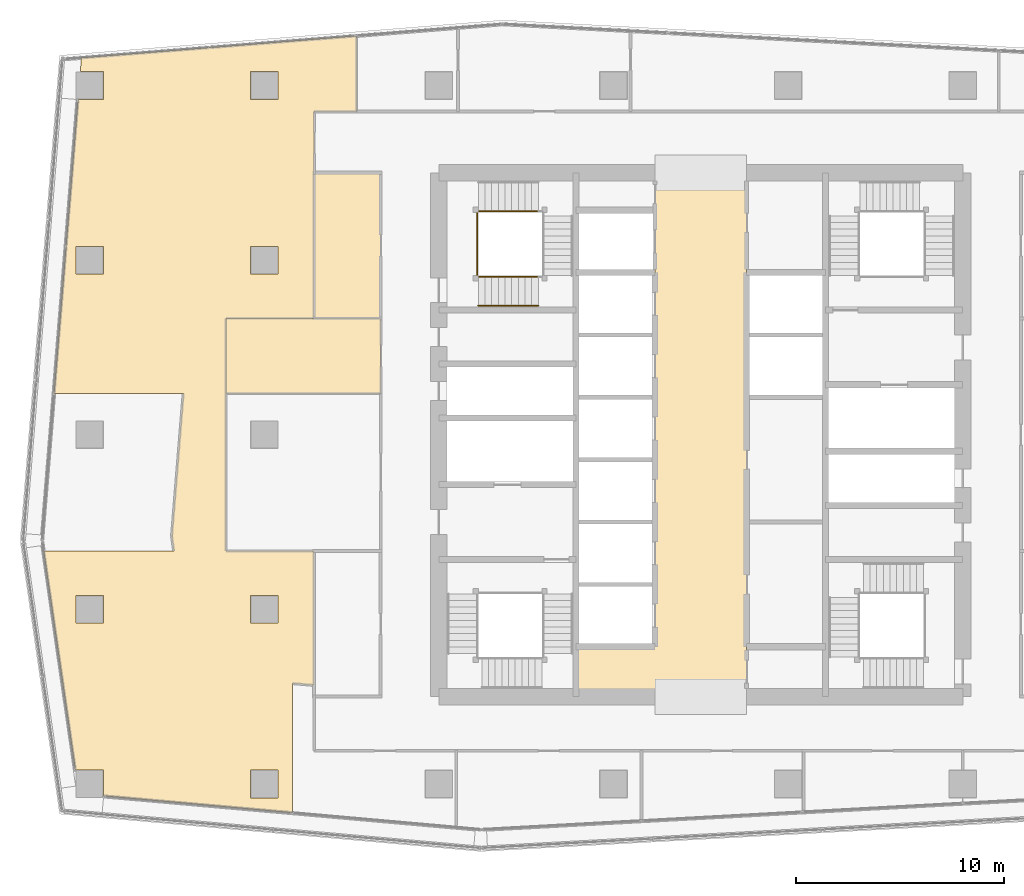
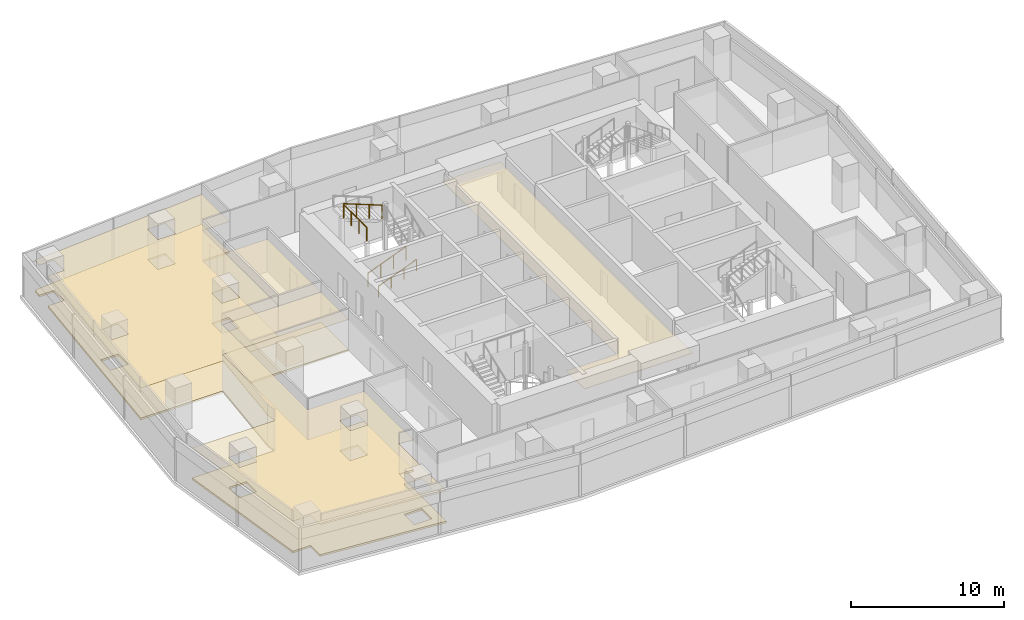
# One storey, part 27 of 30: 6 coverings, 4 railings.
"""IFC4 building model written with IfcOpenShell, lengths in metres."""

import ifcopenshell
import ifcopenshell.guid

model = None  # the IFC model being written
_history = None  # IfcOwnerHistory: only IFC2X3 demands one
_inside = {}  # id of a spatial element -> (the spatial element, [elements in it])
_under = {}  # id of a project, library or spatial element -> (it, [spatial elements below it])
_declared = {}  # id of a project -> (the project, [libraries it declares])
_typed = {}  # id of a type object -> (the type object, [elements of that type])
_made_of = {}  # id of a material, layer set ... -> (it, [elements and type objects made of it])


def new_model(schema):
    """Start an empty IFC model of exactly this schema.

    Asked for "IFC4X3", IfcOpenShell would pick the latest addendum, in which some entities
    have other attributes; the version numbers below select the first issue.
    IFC2X3 requires an IfcOwnerHistory on every rooted entity: one is made here for all.
    """
    global model, _history
    if schema == "IFC4X3":
        model = ifcopenshell.file(schema_version=(4, 3, 0, 0))
    else:
        model = ifcopenshell.file(schema=schema)
    _inside.clear()
    _under.clear()
    _declared.clear()
    _typed.clear()
    _made_of.clear()
    _history = None
    if model.schema == "IFC2X3":
        org = make("IfcOrganization", Name="unknown")
        user = make(
            "IfcPersonAndOrganization",
            ThePerson=make("IfcPerson", FamilyName="unknown"),
            TheOrganization=org,
        )
        app = make(
            "IfcApplication",
            ApplicationDeveloper=org,
            Version="unknown",
            ApplicationFullName="unknown",
            ApplicationIdentifier="unknown",
        )
        _history = make(
            "IfcOwnerHistory",
            OwningUser=user,
            OwningApplication=app,
            ChangeAction="ADDED",
            CreationDate=0,
        )
    return model


def make(cls, **values):
    """One entity of the class cls with the attributes given. An attribute that is None is left unset."""
    return model.create_entity(
        cls, **{name: value for name, value in values.items() if value is not None}
    )


def rooted(cls, **values):
    """An entity with a GlobalId (a new one), such as an element, a storey or a relation."""
    return make(cls, GlobalId=ifcopenshell.guid.new(), OwnerHistory=_history, **values)


def si_unit(unit_type, name, prefix=None):
    """IfcSIUnit, for example si_unit("LENGTHUNIT", "METRE", prefix="MILLI")."""
    return make("IfcSIUnit", UnitType=unit_type, Prefix=prefix, Name=name)


def assignment(units):
    """IfcUnitAssignment: the units of a project."""
    return None if units is None else make("IfcUnitAssignment", Units=units)


def point(xyz):
    """IfcCartesianPoint."""
    return None if xyz is None else make("IfcCartesianPoint", Coordinates=xyz)


def direction(xyz):
    """IfcDirection."""
    return None if xyz is None else make("IfcDirection", DirectionRatios=xyz)


def frame(location, z_axis=None, x_axis=None):
    """IfcAxis2Placement3D, a coordinate frame: its origin and axes. An axis left out is left unset."""
    return make(
        "IfcAxis2Placement3D",
        Location=point(location),
        Axis=direction(z_axis),
        RefDirection=direction(x_axis),
    )


def frame_2d(location, x_axis=None):
    """IfcAxis2Placement2D, a coordinate frame in the plane: its origin and x axis."""
    return make(
        "IfcAxis2Placement2D", Location=point(location), RefDirection=direction(x_axis)
    )


def origin():
    """The frame at (0, 0, 0) with its axes left unset."""
    return frame((0.0, 0.0, 0.0))


def origin_2d():
    """The frame at (0, 0) in the plane with its x axis left unset."""
    return frame_2d((0.0, 0.0))


def place(relative_to, where):
    """IfcLocalPlacement: puts the frame where relative to a parent placement (None: the world)."""
    return make(
        "IfcLocalPlacement", PlacementRelTo=relative_to, RelativePlacement=where
    )


def context(
    kind, dimensions, precision=None, world=None, true_north=None, identifier=None
):
    """IfcGeometricRepresentationContext, for example the 3D "Model" context."""
    return make(
        "IfcGeometricRepresentationContext",
        ContextIdentifier=identifier,
        ContextType=kind,
        CoordinateSpaceDimension=dimensions,
        Precision=precision,
        WorldCoordinateSystem=world,
        TrueNorth=true_north,
    )


def subcontext(parent, identifier, kind, view, scale=None):
    """IfcGeometricRepresentationSubContext, for example "Body" below "Model"."""
    return make(
        "IfcGeometricRepresentationSubContext",
        ContextIdentifier=identifier,
        ContextType=kind,
        ParentContext=parent,
        TargetScale=scale,
        TargetView=view,
    )


def project(units=None, contexts=None):
    """IfcProject with its units and contexts."""
    return rooted(
        "IfcProject",
        Name="project",
        RepresentationContexts=contexts,
        UnitsInContext=assignment(units),
    )


def spatial(cls, under=None, at=None, **own):
    """A site, building, storey or space (cls), placed at a placement, below another one or the project."""
    s = rooted(cls, ObjectPlacement=at, **own)
    if under is not None:
        _under.setdefault(under.id(), (under, []))[1].append(s)
    return s


def polyline(points):
    """IfcPolyline through the points."""
    return make("IfcPolyline", Points=[point(p) for p in points])


def profile(cls, at=None, kind="AREA", **sizes):
    """A parametric profile (cls). Its sizes go by their IFC names, for example OverallWidth=200.0."""
    return make(cls, ProfileType=kind, Position=at, **sizes)


def circle(**sizes):
    """IfcCircleProfileDef."""
    return profile("IfcCircleProfileDef", **sizes)


def outline(outer, holes=None, kind="AREA"):
    """IfcArbitraryClosedProfileDef: a profile drawn as a closed curve; with holes, ...WithVoids."""
    if holes is None:
        return make("IfcArbitraryClosedProfileDef", ProfileType=kind, OuterCurve=outer)
    return make(
        "IfcArbitraryProfileDefWithVoids",
        ProfileType=kind,
        OuterCurve=outer,
        InnerCurves=holes,
    )


def extrude(swept, where, along, depth):
    """IfcExtrudedAreaSolid: the profile swept, set in the frame where, extruded along a direction by depth."""
    return make(
        "IfcExtrudedAreaSolid",
        SweptArea=swept,
        Position=where,
        ExtrudedDirection=direction(along),
        Depth=depth,
    )


def shape(context_of_items, identifier, shape_type, items):
    """IfcShapeRepresentation: the items that make up one representation, for example the "Body"."""
    return make(
        "IfcShapeRepresentation",
        ContextOfItems=context_of_items,
        RepresentationIdentifier=identifier,
        RepresentationType=shape_type,
        Items=items,
    )


def material(Name=None, Category=None):
    """IfcMaterial."""
    return make("IfcMaterial", Name=Name, Category=Category)


def layer(
    of_material, thickness, ventilated=None, Name=None, Category=None, Priority=None
):
    """IfcMaterialLayer: one layer of a wall or slab, of a material (None: an air gap)."""
    return make(
        "IfcMaterialLayer",
        Material=of_material,
        LayerThickness=thickness,
        IsVentilated=ventilated,
        Name=Name,
        Category=Category,
        Priority=Priority,
    )


def layer_set(layers, Name=None):
    """IfcMaterialLayerSet."""
    return make("IfcMaterialLayerSet", MaterialLayers=layers, LayerSetName=Name)


def made_of(thing, what):
    """Note that an element or type object is made of a material, layer set ...; save() writes the relation."""
    if what is not None:
        _made_of.setdefault(what.id(), (what, []))[1].append(thing)
    return thing


def type_object(cls, material=None, **own):
    """A type object (cls), such as IfcWallType, which elements share."""
    return made_of(rooted(cls, **own), material)


def element(
    cls,
    number,
    at=None,
    inside=None,
    cuts=None,
    type_object=None,
    material=None,
    context=None,
    identifier="Body",
    shape_type=None,
    held_by="IfcProductDefinitionShape",
    body=None,
    shapes=None,
    **own,
):
    """One element of the class cls, such as IfcWall. Its Tag is "e" and its number.

    at: its placement. inside: the storey or other place that contains it. cuts: it is an
    opening in that element (IfcRelVoidsElement). A single representation is given by context,
    identifier, shape_type and body (its items); several are given by shapes. held_by: the class
    of the entity that holds the representations. save() writes the other relations.
    """
    e = rooted(cls, Tag="e%d" % number, ObjectPlacement=at, **own)
    if body is not None:
        shapes = [shape(context, identifier, shape_type, body)]
    if shapes is not None:
        e.Representation = make(held_by, Representations=shapes)
    if inside is not None:
        _inside.setdefault(inside.id(), (inside, []))[1].append(e)
    if cuts is not None:
        rooted(
            "IfcRelVoidsElement", RelatingBuildingElement=cuts, RelatedOpeningElement=e
        )
    if type_object is not None:
        _typed.setdefault(type_object.id(), (type_object, []))[1].append(e)
    return made_of(e, material)


def aggregate(whole, parts):
    """IfcRelAggregates: a whole, such as a stair, and the parts it consists of."""
    return rooted("IfcRelAggregates", RelatingObject=whole, RelatedObjects=parts)


def save(model, path):
    """Write the relations noted so far, then the file.

    IfcRelAggregates (storeys below a building ...), IfcRelContainedInSpatialStructure (elements
    in a storey), IfcRelDefinesByType, IfcRelAssociatesMaterial and IfcRelDeclares: one each for
    every whole, place, type object, material and project.
    """
    for whole, parts in _under.values():
        aggregate(whole, parts)
    for where, things in _inside.values():
        rooted(
            "IfcRelContainedInSpatialStructure",
            RelatedElements=things,
            RelatingStructure=where,
        )
    for kind, things in _typed.values():
        rooted("IfcRelDefinesByType", RelatedObjects=things, RelatingType=kind)
    for what, things in _made_of.values():
        rooted("IfcRelAssociatesMaterial", RelatedObjects=things, RelatingMaterial=what)
    for by, libraries in _declared.values():
        rooted("IfcRelDeclares", RelatingContext=by, RelatedDefinitions=libraries)
    model.write(path)


model = new_model("IFC4")

# Units and contexts
model_context = context("Model", 3, precision=1e-05, world=origin(), true_north=direction((0.0, 1.0)))
body_context = subcontext(model_context, "Body", "Model", "MODEL_VIEW")
ifc_project = project(units=[si_unit("LENGTHUNIT", "METRE"), si_unit("AREAUNIT", "SQUARE_METRE"), si_unit("VOLUMEUNIT", "CUBIC_METRE"), si_unit("PLANEANGLEUNIT", "RADIAN"), si_unit("MASSUNIT", "GRAM", prefix="KILO")], contexts=[model_context])

# Site, building, storey
site_placement = place(None, origin())
site = spatial("IfcSite", under=ifc_project, at=site_placement, CompositionType="ELEMENT")
building_placement = place(site_placement, origin())
building = spatial("IfcBuilding", under=site, at=building_placement, Name="Rekha Terrace Tower", CompositionType="ELEMENT")
storey_placement = place(building_placement, frame((0.0, 0.0, 287.60009765625)))
storey = spatial("IfcBuildingStorey", under=building, at=storey_placement, Name="L73", CompositionType="ELEMENT", Elevation=287.60009765625)

# Coverings
ifc_material_1 = material(Name="Mineral fibre tile in exposed grid", Category="finish")
ifc_layer_1 = layer(ifc_material_1, 0.02001953125)
ifc_layer_set_1 = layer_set([ifc_layer_1], Name="Mineral fibre tile in exposed grid")
covering_type_1 = type_object("IfcCoveringType", Name="CL1 600x1200 office grid ceiling", PredefinedType="CEILING", material=ifc_layer_set_1)
covering_1_placement = place(storey_placement, frame((0.0, 0.0, 2.52978515625)))
element("IfcCovering", 1, at=covering_1_placement, inside=storey, type_object=covering_type_1, Name="Ceiling L73-09", PredefinedType="CEILING", context=body_context, shape_type="SweptSolid", body=[
    extrude(outline(polyline([(12.455078125, 28.010986328125), (6.18994140625, 28.010986328125), (7.715087890625, 17.465087890625), (9.06494140625, 17.465087890625), (9.06494140625, 16.22705078125), (18.14990234375, 15.4189453125), (18.14990234375, 21.64404296875), (19.199951171875, 21.550048828125), (19.199951171875, 28.0), (14.949951171875, 28.0), (14.949951171875, 39.199951171875), (19.199951171875, 39.199951171875), (19.199951171875, 49.14990234375), (21.22607421875, 49.14990234375), (21.22607421875, 52.7880859375), (8.00390625, 51.73291015625), (7.949951171875, 51.06494140625), (9.06494140625, 51.06494140625), (9.06494140625, 49.735107421875), (7.842041015625, 49.735107421875), (7.26611328125, 42.656982421875), (7.26611328125, 42.656005859375), (6.69091796875, 35.589111328125), (12.910888671875, 35.589111328125), (12.35205078125, 28.718017578125), (12.455078125, 28.010986328125)]), holes=[polyline([(17.465087890625, 17.465087890625), (17.465087890625, 16.135009765625), (16.135009765625, 16.135009765625), (16.135009765625, 17.465087890625), (17.465087890625, 17.465087890625)]), polyline([(17.465087890625, 25.864990234375), (17.465087890625, 24.534912109375), (16.135009765625, 24.534912109375), (16.135009765625, 25.864990234375), (17.465087890625, 25.864990234375)]), polyline([(17.465087890625, 41.3349609375), (16.135009765625, 41.3349609375), (16.135009765625, 42.6650390625), (17.465087890625, 42.6650390625), (17.465087890625, 41.3349609375)]), polyline([(17.465087890625, 49.735107421875), (16.135009765625, 49.735107421875), (16.135009765625, 51.06494140625), (17.465087890625, 51.06494140625), (17.465087890625, 49.735107421875)]), polyline([(9.06494140625, 25.864990234375), (9.06494140625, 24.534912109375), (7.735107421875, 24.534912109375), (7.735107421875, 25.864990234375), (9.06494140625, 25.864990234375)]), polyline([(9.06494140625, 42.6650390625), (9.06494140625, 41.3349609375), (7.735107421875, 41.3349609375), (7.735107421875, 42.6650390625), (9.06494140625, 42.6650390625)])]), origin(), (0.0, 0.0, 1.0), 0.02001953125),
])
covering_2_placement = place(storey_placement, frame((0.0, 0.0, 2.52978515625)))
element("IfcCovering", 2, at=covering_2_placement, inside=storey, type_object=covering_type_1, Name="Ceiling L73-16", PredefinedType="CEILING", context=body_context, shape_type="SweptSolid", body=[
    extrude(outline(polyline([(14.949951171875, 39.199951171875), (14.949951171875, 35.589111328125), (22.39990234375, 35.589111328125), (22.39990234375, 39.199951171875), (14.949951171875, 39.199951171875)])), origin(), (0.0, 0.0, 1.0), 0.02001953125),
])
ifc_material_2 = material(Name="Fibre cement board", Category="finish")
ifc_layer_2 = layer(ifc_material_2, 0.014892578125)
ifc_layer_set_2 = layer_set([ifc_layer_2], Name="Fibre cement board")
covering_type_2 = type_object("IfcCoveringType", Name="CL2 moisture-resistant board ceiling", PredefinedType="CEILING", material=ifc_layer_set_2)
covering_3_placement = place(storey_placement, frame((0.0, 0.0, 2.534912109375)))
element("IfcCovering", 3, at=covering_3_placement, inside=storey, type_object=covering_type_2, Name="Ceiling L73-WCF2", PredefinedType="CEILING", context=body_context, shape_type="SweptSolid", body=[
    extrude(outline(polyline([(22.39990234375, 46.199951171875), (19.199951171875, 46.199951171875), (19.199951171875, 39.199951171875), (22.39990234375, 39.199951171875), (22.39990234375, 46.199951171875)])), origin(), (0.0, 0.0, 1.0), 0.014892578125),
])
ifc_material_3 = material(Name="Powder-coated aluminium pan", Category="aluminium")
ifc_layer_3 = layer(ifc_material_3, 0.030029296875)
ifc_layer_set_3 = layer_set([ifc_layer_3], Name="Powder-coated aluminium pan")
covering_type_3 = type_object("IfcCoveringType", Name="CL3 300x1200 metal pan ceiling", PredefinedType="CEILING", material=ifc_layer_set_3)
covering_4_placement = place(storey_placement, frame((0.0, 0.0, 2.52001953125)))
element("IfcCovering", 4, at=covering_4_placement, inside=storey, type_object=covering_type_3, Name="Ceiling L73-LOBBY", PredefinedType="CEILING", context=body_context, shape_type="SweptSolid", body=[
    extrude(outline(polyline([(35.60009765625, 46.199951171875), (35.60009765625, 23.39990234375), (31.800048828125, 23.39990234375), (31.800048828125, 21.0), (40.0, 21.0), (40.0, 46.199951171875), (35.60009765625, 46.199951171875)])), origin(), (0.0, 0.0, 1.0), 0.02978515625),
])

# Railings
ifc_material_4 = material(Name="Stainless steel balustrade", Category="steel")
railing_type_1 = type_object("IfcRailingType", Name="GR1 1100 stair guard", PredefinedType="GUARDRAIL", material=ifc_material_4)
railing_1_placement = place(storey_placement, frame((27.10009765625, 41.18994140625, 0.125)))
element("IfcRailing", 5, at=railing_1_placement, inside=storey, type_object=railing_type_1, Name="Guard ST4 L73 flight 1", PredefinedType="GUARDRAIL", context=body_context, shape_type="SweptSolid", body=[
    extrude(circle(Radius=0.02392578125, at=origin_2d()), frame((0.0, 0.0, 1.076171875), z_axis=(0.931452331594, 0.0, 0.363863372667), x_axis=(0.0, 1.0, 0.0)), (0.0, 0.0, 1.0), 3.091796875),
    extrude(circle(Radius=0.02099609375, at=origin_2d()), origin(), (0.0, 0.0, 1.0), 1.052001953125),
    extrude(circle(Radius=0.02099609375, at=origin_2d()), frame((0.9599609375, 0.0, 0.375)), (0.0, 0.0, 1.0), 1.052001953125),
    extrude(circle(Radius=0.02099609375, at=origin_2d()), frame((1.919921875, 0.0, 0.75)), (0.0, 0.0, 1.0), 1.052001953125),
    extrude(circle(Radius=0.02099609375, at=origin_2d()), frame((2.8798828125, 0.0, 1.125)), (0.0, 0.0, 1.0), 1.052001953125),
])
railing_2_placement = place(storey_placement, frame((29.97998046875, 44.360107421875, 2.625)))
element("IfcRailing", 6, at=railing_2_placement, inside=storey, type_object=railing_type_1, Name="Guard ST4 L73 flight 3", PredefinedType="GUARDRAIL", context=body_context, shape_type="SweptSolid", body=[
    extrude(circle(Radius=0.02392578125, at=origin_2d()), frame((0.0, 0.0, 1.076171875), z_axis=(-0.931452331594, 0.0, 0.363863372667), x_axis=(0.0, -1.0, 0.0)), (0.0, 0.0, 1.0), 3.091796875),
    extrude(circle(Radius=0.02099609375, at=origin_2d()), origin(), (0.0, 0.0, 1.0), 1.052001953125),
    extrude(circle(Radius=0.02099609375, at=origin_2d()), frame((-0.9599609375, 0.0, 0.375)), (0.0, 0.0, 1.0), 1.052001953125),
    extrude(circle(Radius=0.02099609375, at=origin_2d()), frame((-1.919921875, 0.0, 0.75)), (0.0, 0.0, 1.0), 1.052001953125),
    extrude(circle(Radius=0.02099609375, at=origin_2d()), frame((-2.8798828125, 0.0, 1.125)), (0.0, 0.0, 1.0), 1.052001953125),
])
railing_3_placement = place(storey_placement, frame((27.0400390625, 41.25, 3.75)))
element("IfcRailing", 7, at=railing_3_placement, inside=storey, type_object=railing_type_1, Name="Guard ST4 L73 landing 4", PredefinedType="GUARDRAIL", context=body_context, shape_type="SweptSolid", body=[
    extrude(circle(Radius=0.02392578125, at=origin_2d()), frame((0.0, 0.0, 1.076171875), z_axis=(0.0, 1.0, 0.0), x_axis=(-1.0, 0.0, 0.0)), (0.0, 0.0, 1.0), 3.050048828125),
    extrude(circle(Radius=0.02099609375, at=origin_2d()), origin(), (0.0, 0.0, 1.0), 1.052001953125),
    extrude(circle(Radius=0.02099609375, at=origin_2d()), frame((0.0, 1.0166015625, 0.0)), (0.0, 0.0, 1.0), 1.052001953125),
    extrude(circle(Radius=0.02099609375, at=origin_2d()), frame((0.0, 2.033447265625, 0.0)), (0.0, 0.0, 1.0), 1.052001953125),
    extrude(circle(Radius=0.02099609375, at=origin_2d()), frame((0.0, 3.050048828125, 0.0)), (0.0, 0.0, 1.0), 1.052001953125),
])
ifc_material_5 = material(Name="Stainless steel tube", Category="steel")
railing_type_2 = type_object("IfcRailingType", Name="HR1 900 stair handrail", PredefinedType="HANDRAIL", material=ifc_material_5)
railing_4_placement = place(storey_placement, frame((27.10009765625, 39.81005859375, 0.125)))
element("IfcRailing", 8, at=railing_4_placement, inside=storey, type_object=railing_type_2, Name="Handrail ST4 L73 flight 1", PredefinedType="HANDRAIL", context=body_context, shape_type="SweptSolid", body=[
    extrude(circle(Radius=0.02392578125, at=origin_2d()), frame((0.0, 0.0, 0.8759765625), z_axis=(0.931452331594, 0.0, 0.363863372667), x_axis=(0.0, 1.0, 0.0)), (0.0, 0.0, 1.0), 3.091796875),
    extrude(circle(Radius=0.02099609375, at=origin_2d()), origin(), (0.0, 0.0, 1.0), 0.851806640625),
    extrude(circle(Radius=0.02099609375, at=origin_2d()), frame((0.9599609375, 0.0, 0.375)), (0.0, 0.0, 1.0), 0.851806640625),
    extrude(circle(Radius=0.02099609375, at=origin_2d()), frame((1.919921875, 0.0, 0.75)), (0.0, 0.0, 1.0), 0.851806640625),
    extrude(circle(Radius=0.02099609375, at=origin_2d()), frame((2.8798828125, 0.0, 1.125)), (0.0, 0.0, 1.0), 0.851806640625),
])

# Coverings
ifc_material_6 = material(Name="Calcium sulphate panels on steel pedestals", Category="steel")
ifc_layer_4 = layer(ifc_material_6, 0.14990234375)
ifc_layer_set_4 = layer_set([ifc_layer_4], Name="Calcium sulphate panels on steel pedestals")
covering_type_4 = type_object("IfcCoveringType", Name="RF1 150 raised access floor", PredefinedType="FLOORING", material=ifc_layer_set_4)
covering_5_placement = place(storey_placement, origin())
element("IfcCovering", 9, at=covering_5_placement, inside=storey, type_object=covering_type_4, Name="Raised floor L73-09", PredefinedType="FLOORING", context=body_context, shape_type="SweptSolid", body=[
    extrude(outline(polyline([(12.455078125, 28.010986328125), (6.18994140625, 28.010986328125), (7.715087890625, 17.465087890625), (9.06494140625, 17.465087890625), (9.06494140625, 16.22705078125), (18.14990234375, 15.4189453125), (18.14990234375, 21.64404296875), (19.199951171875, 21.550048828125), (19.199951171875, 28.0), (14.949951171875, 28.0), (14.949951171875, 39.199951171875), (19.199951171875, 39.199951171875), (19.199951171875, 49.14990234375), (21.22607421875, 49.14990234375), (21.22607421875, 52.7880859375), (8.00390625, 51.73291015625), (7.949951171875, 51.06494140625), (9.06494140625, 51.06494140625), (9.06494140625, 49.735107421875), (7.842041015625, 49.735107421875), (7.26611328125, 42.656982421875), (7.26611328125, 42.656005859375), (6.69091796875, 35.589111328125), (12.910888671875, 35.589111328125), (12.35205078125, 28.718017578125), (12.455078125, 28.010986328125)]), holes=[polyline([(17.465087890625, 17.465087890625), (17.465087890625, 16.135009765625), (16.135009765625, 16.135009765625), (16.135009765625, 17.465087890625), (17.465087890625, 17.465087890625)]), polyline([(17.465087890625, 25.864990234375), (17.465087890625, 24.534912109375), (16.135009765625, 24.534912109375), (16.135009765625, 25.864990234375), (17.465087890625, 25.864990234375)]), polyline([(17.465087890625, 41.3349609375), (16.135009765625, 41.3349609375), (16.135009765625, 42.6650390625), (17.465087890625, 42.6650390625), (17.465087890625, 41.3349609375)]), polyline([(17.465087890625, 49.735107421875), (16.135009765625, 49.735107421875), (16.135009765625, 51.06494140625), (17.465087890625, 51.06494140625), (17.465087890625, 49.735107421875)]), polyline([(9.06494140625, 25.864990234375), (9.06494140625, 24.534912109375), (7.735107421875, 24.534912109375), (7.735107421875, 25.864990234375), (9.06494140625, 25.864990234375)]), polyline([(9.06494140625, 42.6650390625), (9.06494140625, 41.3349609375), (7.735107421875, 41.3349609375), (7.735107421875, 42.6650390625), (9.06494140625, 42.6650390625)])]), origin(), (0.0, 0.0, 1.0), 0.14990234375),
])
covering_6_placement = place(storey_placement, origin())
element("IfcCovering", 10, at=covering_6_placement, inside=storey, type_object=covering_type_4, Name="Raised floor L73-16", PredefinedType="FLOORING", context=body_context, shape_type="SweptSolid", body=[
    extrude(outline(polyline([(14.949951171875, 39.199951171875), (14.949951171875, 35.589111328125), (22.39990234375, 35.589111328125), (22.39990234375, 39.199951171875), (14.949951171875, 39.199951171875)])), origin(), (0.0, 0.0, 1.0), 0.14990234375),
])

save(model, "model.ifc")
